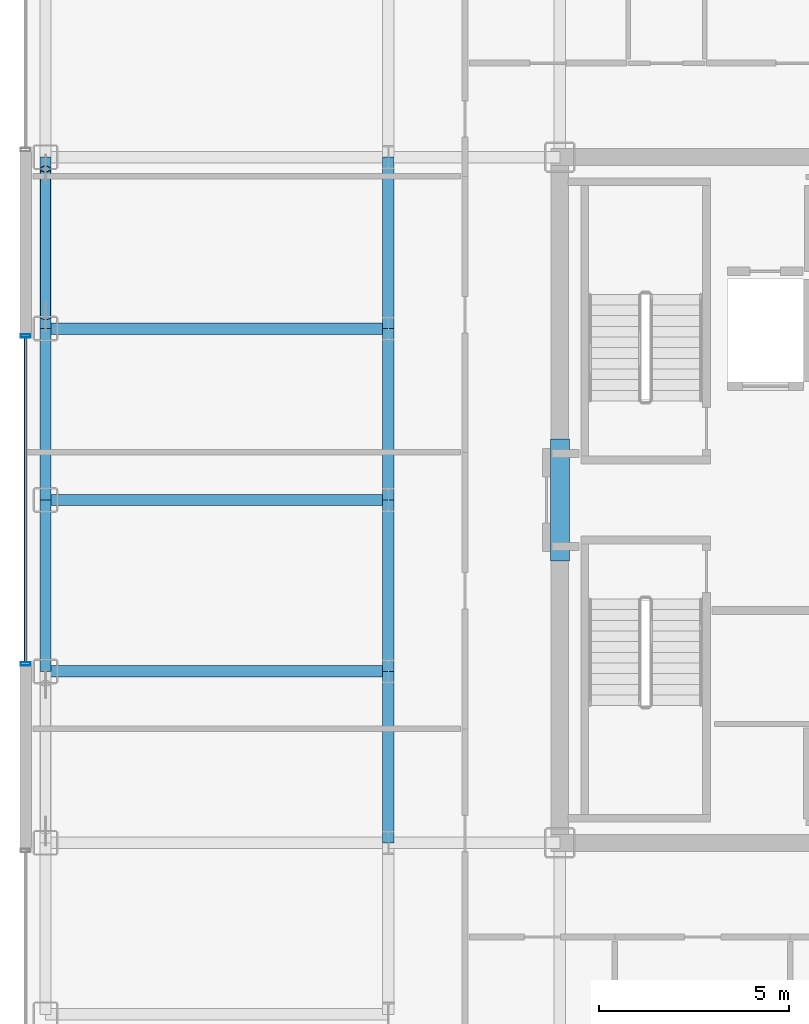
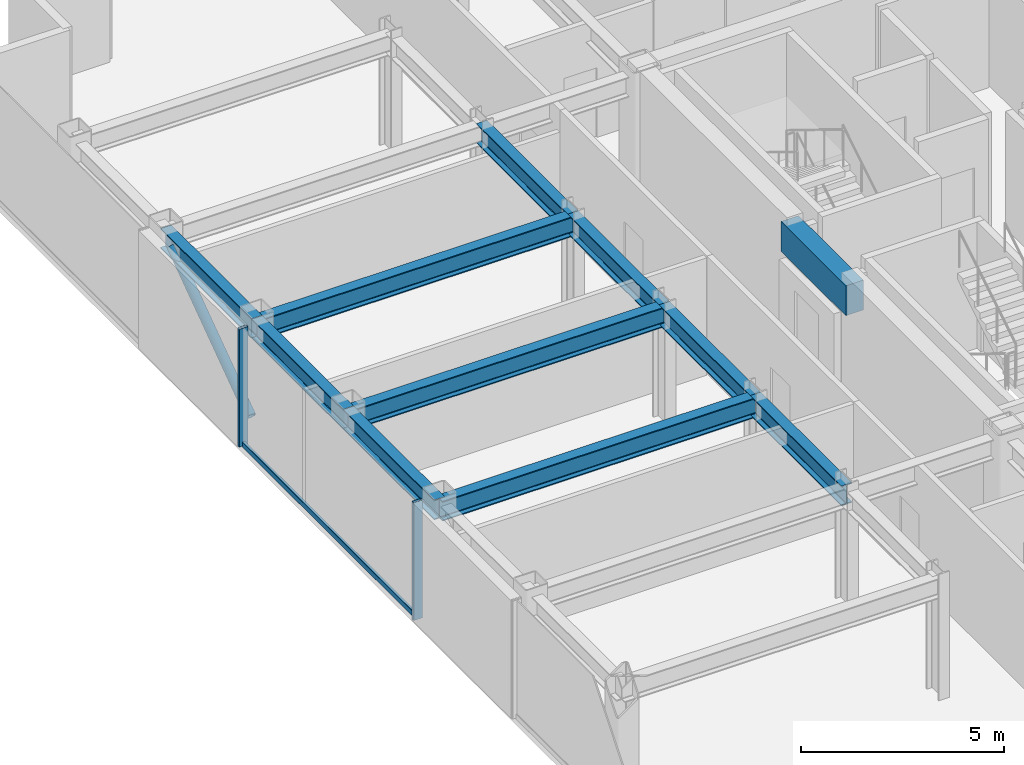
# One storey, part 4 of 16: 11 beams, 4 members, 1 element without a shape of its own.
"""IFC4 building model written with IfcOpenShell, lengths in metres."""

from ifc_helpers import new_model, si_unit, direction, frame, origin, origin_2d, place, context, subcontext, project, spatial, rectangle, hollow_rectangle, hollow_circle, i_section, extrude, source, transform, mapped, material, layer, layer_set, material_profile, profile_set, type_object, element, aggregate, save


model = new_model("IFC4")

# Units and contexts
model_context = context("Model", 3, precision=1e-05, world=origin(), true_north=direction((0.0, 1.0)))
body_context = subcontext(model_context, "Body", "Model", "MODEL_VIEW")
ifc_project = project(units=[si_unit("LENGTHUNIT", "METRE"), si_unit("AREAUNIT", "SQUARE_METRE"), si_unit("VOLUMEUNIT", "CUBIC_METRE"), si_unit("PLANEANGLEUNIT", "RADIAN"), si_unit("MASSUNIT", "GRAM", prefix="KILO")], contexts=[model_context])

# Site, building, storey
site_placement = place(None, origin())
site = spatial("IfcSite", under=ifc_project, at=site_placement, CompositionType="ELEMENT")
building_placement = place(site_placement, origin())
building = spatial("IfcBuilding", under=site, at=building_placement, Name="Nefas-Gora Pilgrimage Tower", CompositionType="ELEMENT")
storey_placement = place(building_placement, frame((0.0, 0.0, 287.39990234375)))
storey = spatial("IfcBuildingStorey", under=building, at=storey_placement, Name="L72", CompositionType="ELEMENT", Elevation=287.39990234375)

# Beams
ifc_material_1 = material(Name="Concrete C50/60", Category="concrete")
ifc_material_profile_1 = material_profile(ifc_material_1, rectangle(XDim=0.5, YDim=0.89990234375, at=origin_2d()), Name="RC 500x900")
ifc_profile_set_1 = profile_set([ifc_material_profile_1], Name="Concrete C50/60")
beam_type_1 = type_object("IfcBeamType", Name="BM-LIN-RC900", PredefinedType="LINTEL", material=ifc_profile_set_1)
shared_shape_1 = source(origin(), body_context, "Body", "SweptSolid", [
    extrude(rectangle(XDim=0.5, YDim=0.89990234375, at=origin_2d()), origin(), (0.0, 0.0, 1.0), 3.2001953125),
])
beam_placement = place(storey_placement, frame((-11.25, -1.60009765625, 3.10009765625), z_axis=(0.0, 1.0, 0.0), x_axis=(-1.0, 0.0, 0.0)))
element("IfcBeam", 1, at=beam_placement, inside=storey, type_object=beam_type_1, Name="L72 Core Coupling Lintel Beam W", PredefinedType="LINTEL", context=body_context, shape_type="MappedRepresentation", body=[
    mapped(shared_shape_1, transform((0.0, 0.0, 0.0), x_axis=(1.0, 0.0, 0.0), y_axis=(0.0, 1.0, 0.0), z_axis=(0.0, 0.0, 1.0), scale=1.0)),
])
ifc_material_2 = material(Name="Steel S355", Category="steel")
ifc_material_profile_2 = material_profile(ifc_material_2, i_section(OverallWidth=0.300048828125, OverallDepth=0.60009765625, WebThickness=0.015380859375, FlangeThickness=0.030029296875, FilletRadius=0.027099609375, at=origin_2d()), Name="HEB 600")
ifc_profile_set_2 = profile_set([ifc_material_profile_2], Name="Steel S355")
beam_type_2 = type_object("IfcBeamType", Name="BM-SPN-HEB450", PredefinedType="SPANDREL", material=ifc_profile_set_2)
shared_shape_2 = source(origin(), body_context, "Body", "SweptSolid", [
    extrude(i_section(OverallWidth=0.300048828125, OverallDepth=0.60009765625, WebThickness=0.015380859375, FlangeThickness=0.030029296875, FilletRadius=0.027099609375, at=origin_2d()), origin(), (0.0, 0.0, 1.0), 4.5),
])
for number, where, z_axis, x_axis, name in (
    (2, (-24.75, -4.5, 3.25), (0.0, 1.0, 0.0), (-1.0, 0.0, 0.0), "L72 SP-03 beam"),
    (3, (-24.75, 0.0, 3.25), (0.0, 1.0, 0.0), (-1.0, 0.0, 0.0), "L72 SP-03 beam"),
    (4, (-24.75, 4.5, 3.25), (0.0, 1.0, 0.0), (-1.0, 0.0, 0.0), "L72 SP-03 beam"),
):
    element("IfcBeam", number, at=place(storey_placement, frame(where, z_axis=z_axis, x_axis=x_axis)), inside=storey, type_object=beam_type_2, Name=name, PredefinedType="SPANDREL", context=body_context, shape_type="MappedRepresentation", body=[
        mapped(shared_shape_2, transform((0.0, 0.0, 0.0), x_axis=(1.0, 0.0, 0.0), y_axis=(0.0, 1.0, 0.0), z_axis=(0.0, 0.0, 1.0), scale=1.0)),
    ])
ifc_material_profile_3 = material_profile(ifc_material_2, i_section(OverallWidth=0.300048828125, OverallDepth=0.60009765625, WebThickness=0.015380859375, FlangeThickness=0.030029296875, FilletRadius=0.027099609375, at=origin_2d()), Name="HEB 600")
ifc_profile_set_3 = profile_set([ifc_material_profile_3], Name="Steel S355")
beam_type_3 = type_object("IfcBeamType", Name="BM-GIR-HEB600", PredefinedType="BEAM", material=ifc_profile_set_3)
shared_shape_3 = source(origin(), body_context, "Body", "SweptSolid", [
    extrude(i_section(OverallWidth=0.300048828125, OverallDepth=0.60009765625, WebThickness=0.015380859375, FlangeThickness=0.030029296875, FilletRadius=0.027099609375, at=origin_2d()), origin(), (0.0, 0.0, 1.0), 9.0),
])
for number, where, z_axis, x_axis, name in (
    (5, (-24.75, -4.5, 3.25), (1.0, 0.0, 0.0), (0.0, 1.0, 0.0), "L72 G-04 beam"),
    (6, (-24.75, 0.0, 3.25), (1.0, 0.0, 0.0), (0.0, 1.0, 0.0), "L72 G-04 beam"),
    (7, (-24.75, 4.5, 3.25), (1.0, 0.0, 0.0), (0.0, 1.0, 0.0), "L72 G-04 beam"),
):
    element("IfcBeam", number, at=place(storey_placement, frame(where, z_axis=z_axis, x_axis=x_axis)), inside=storey, type_object=beam_type_3, Name=name, PredefinedType="BEAM", context=body_context, shape_type="MappedRepresentation", body=[
        mapped(shared_shape_3, transform((0.0, 0.0, 0.0), x_axis=(1.0, 0.0, 0.0), y_axis=(0.0, 1.0, 0.0), z_axis=(0.0, 0.0, 1.0), scale=1.0)),
    ])
shared_shape_4 = source(origin(), body_context, "Body", "SweptSolid", [
    extrude(i_section(OverallWidth=0.300048828125, OverallDepth=0.60009765625, WebThickness=0.015380859375, FlangeThickness=0.030029296875, FilletRadius=0.027099609375, at=origin_2d()), origin(), (0.0, 0.0, 1.0), 4.5),
])
for number, where, z_axis, x_axis, name in (
    (8, (-15.75, -9.0, 3.25), (0.0, 1.0, 0.0), (-1.0, 0.0, 0.0), "L72 G-04 beam"),
    (9, (-15.75, -4.5, 3.25), (0.0, 1.0, 0.0), (-1.0, 0.0, 0.0), "L72 G-04 beam"),
    (10, (-15.75, 0.0, 3.25), (0.0, 1.0, 0.0), (-1.0, 0.0, 0.0), "L72 G-04 beam"),
    (11, (-15.75, 4.5, 3.25), (0.0, 1.0, 0.0), (-1.0, 0.0, 0.0), "L72 G-04 beam"),
):
    element("IfcBeam", number, at=place(storey_placement, frame(where, z_axis=z_axis, x_axis=x_axis)), inside=storey, type_object=beam_type_3, Name=name, PredefinedType="BEAM", context=body_context, shape_type="MappedRepresentation", body=[
        mapped(shared_shape_4, transform((0.0, 0.0, 0.0), x_axis=(1.0, 0.0, 0.0), y_axis=(0.0, 1.0, 0.0), z_axis=(0.0, 0.0, 1.0), scale=1.0)),
    ])

# Member
ifc_material_profile_4 = material_profile(ifc_material_2, hollow_circle(Radius=0.136474609375, WallThickness=0.01611328125, at=origin_2d()), Name="CHS 273x16")
ifc_profile_set_4 = profile_set([ifc_material_profile_4], Name="Steel S355")
member_type_1 = type_object("IfcMemberType", Name="MEM-TUBE-273", PredefinedType="BRACE", material=ifc_profile_set_4)
shared_shape_5 = source(origin(), body_context, "Body", "SweptSolid", [
    extrude(hollow_circle(Radius=0.136474609375, WallThickness=0.01611328125, at=origin_2d()), origin(), (0.0, 0.0, 1.0), 4.763671875),
])
member_1_placement = place(storey_placement, frame((-24.75, 4.81298828125, 0.3740234375), z_axis=(0.0, 0.813255312614, 0.581907034246), x_axis=(-1.0, 0.0, 0.0)))
element("IfcMember", 12, at=member_1_placement, inside=storey, type_object=member_type_1, Name="L72 Perimeter Tube Diagonal Brace W2", PredefinedType="BRACE", context=body_context, shape_type="MappedRepresentation", body=[
    mapped(shared_shape_5, transform((0.0, 0.0, 0.0), x_axis=(1.0, 0.0, 0.0), y_axis=(0.0, 1.0, 0.0), z_axis=(0.0, 0.0, 1.0), scale=1.0)),
])

# Curtain wall, members
ifc_material_3 = material(Name="Dark ceramic-fritted solar-control aluminium-glass curtain wall", Category="aluminium")
ifc_layer = layer(ifc_material_3, 0.219970703125)
ifc_layer_set = layer_set([ifc_layer], Name="Dark ceramic-fritted solar-control aluminium-glass curtain wall")
curtain_wall_type = type_object("IfcCurtainWallType", Name="CW-SYS-4", PredefinedType="NOTDEFINED", material=ifc_layer_set)
curtain_wall_placement = place(storey_placement, origin())
curtain_wall = element("IfcCurtainWall", 13, at=curtain_wall_placement, inside=storey, type_object=curtain_wall_type, Name="L72 Unitised Curtain Wall CW4", PredefinedType="NOTDEFINED")
ifc_material_4 = material(Name="Anodised architectural aluminium", Category="aluminium")
ifc_material_profile_5 = material_profile(ifc_material_4, hollow_rectangle(XDim=0.080078125, YDim=0.159912109375, WallThickness=0.00439453125, InnerFilletRadius=0.00439453125, OuterFilletRadius=0.009033203125, at=origin_2d()), Name="ALU TRANSOM 80x160")
ifc_profile_set_5 = profile_set([ifc_material_profile_5], Name="Anodised architectural aluminium")
member_type_2 = type_object("IfcMemberType", Name="CWM-TRN-4", PredefinedType="USERDEFINED", material=ifc_profile_set_5)
shared_shape_6 = source(origin(), body_context, "Body", "SweptSolid", [
    extrude(hollow_rectangle(XDim=0.080078125, YDim=0.159912109375, WallThickness=0.00439453125, InnerFilletRadius=0.00439453125, OuterFilletRadius=0.009033203125, at=origin_2d()), origin(), (0.0, 0.0, 1.0), 8.52001953125),
])
member_2_placement = place(storey_placement, frame((-25.27001953125, 4.260009765625, 0.050048828125), z_axis=(0.0, -1.0, 0.0), x_axis=(1.0, 0.0, 0.0)))
member_2 = element("IfcMember", 14, at=member_2_placement, type_object=member_type_2, Name="CW4 Spandrel Transom", ObjectType="TRANSOM", PredefinedType="USERDEFINED", context=body_context, shape_type="MappedRepresentation", body=[
    mapped(shared_shape_6, transform((0.0, 0.0, 0.0), x_axis=(1.0, 0.0, 0.0), y_axis=(0.0, 1.0, 0.0), z_axis=(0.0, 0.0, 1.0), scale=1.0)),
])
ifc_material_profile_6 = material_profile(ifc_material_4, hollow_rectangle(XDim=0.090087890625, YDim=0.260009765625, WallThickness=0.006103515625, InnerFilletRadius=0.006103515625, OuterFilletRadius=0.011962890625, at=origin_2d()), Name="ALU MULLION 90x260")
ifc_profile_set_6 = profile_set([ifc_material_profile_6], Name="Anodised architectural aluminium")
member_type_3 = type_object("IfcMemberType", Name="CWM-MUL-4", PredefinedType="MULLION", material=ifc_profile_set_6)
shared_shape_7 = source(origin(), body_context, "Body", "SweptSolid", [
    extrude(hollow_rectangle(XDim=0.090087890625, YDim=0.260009765625, WallThickness=0.006103515625, InnerFilletRadius=0.006103515625, OuterFilletRadius=0.011962890625, at=origin_2d()), origin(), (0.0, 0.0, 1.0), 3.550048828125),
])
member_3_placement = place(storey_placement, frame((-25.27001953125, 4.304931640625, 0.0), z_axis=(0.0, 0.0, 1.0), x_axis=(0.0, -1.0, 0.0)))
member_3 = element("IfcMember", 15, at=member_3_placement, type_object=member_type_3, Name="CW4 Mullion 1", PredefinedType="MULLION", context=body_context, shape_type="MappedRepresentation", body=[
    mapped(shared_shape_7, transform((0.0, 0.0, 0.0), x_axis=(1.0, 0.0, 0.0), y_axis=(0.0, 1.0, 0.0), z_axis=(0.0, 0.0, 1.0), scale=1.0)),
])
member_4_placement = place(storey_placement, frame((-25.27001953125, -4.304931640625, 0.0), z_axis=(0.0, 0.0, 1.0), x_axis=(0.0, -1.0, 0.0)))
member_4 = element("IfcMember", 16, at=member_4_placement, type_object=member_type_3, Name="CW4 Mullion 2", PredefinedType="MULLION", context=body_context, shape_type="MappedRepresentation", body=[
    mapped(shared_shape_7, transform((0.0, 0.0, 0.0), x_axis=(1.0, 0.0, 0.0), y_axis=(0.0, 1.0, 0.0), z_axis=(0.0, 0.0, 1.0), scale=1.0)),
])
aggregate(curtain_wall, [member_3, member_4, member_2])

save(model, "model.ifc")
